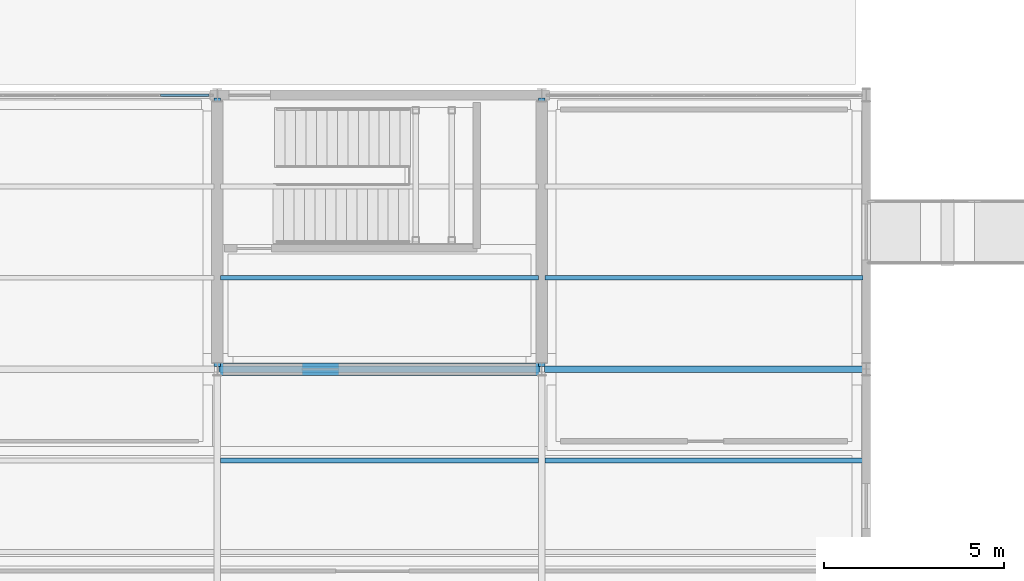
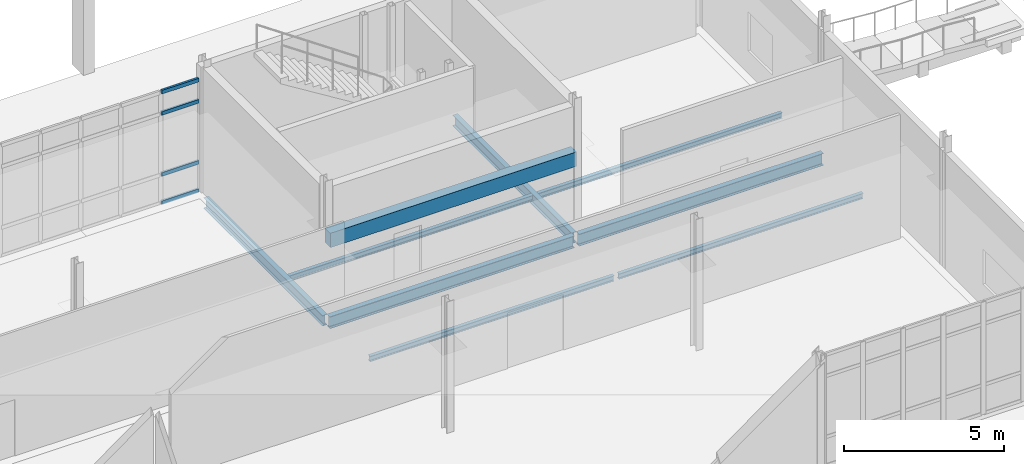
# One storey, part 92 of 161: 9 beams, 4 members, 1 element without a shape of its own.
"""IFC4 building model written with IfcOpenShell, lengths in metres."""

from ifc_helpers import new_model, si_unit, direction, frame, origin, origin_2d, place, context, subcontext, project, spatial, rectangle, hollow_rectangle, i_section, extrude, material, material_profile, profile_set, type_object, element, aggregate, save


model = new_model("IFC4")

# Units and contexts
model_context = context("Model", 3, precision=1e-05, world=origin(), true_north=direction((0.0, 1.0)))
body_context = subcontext(model_context, "Body", "Model", "MODEL_VIEW")
ifc_project = project(units=[si_unit("LENGTHUNIT", "METRE"), si_unit("AREAUNIT", "SQUARE_METRE"), si_unit("VOLUMEUNIT", "CUBIC_METRE"), si_unit("PLANEANGLEUNIT", "RADIAN"), si_unit("MASSUNIT", "GRAM", prefix="KILO")], contexts=[model_context])

# Site, building, storey
site_placement = place(None, origin())
site = spatial("IfcSite", under=ifc_project, at=site_placement, CompositionType="ELEMENT")
building_placement = place(site_placement, origin())
building = spatial("IfcBuilding", under=site, at=building_placement, Name="Caisbarro Railhouse Central Library", CompositionType="ELEMENT")
storey_placement = place(building_placement, origin())
storey = spatial("IfcBuildingStorey", under=building, at=storey_placement, Name="L00", CompositionType="ELEMENT", Elevation=0.0)

# Beams
ifc_material_1 = material(Name="Steel ASTM A572 Grade 50", Category="steel")
ifc_material_profile_1 = material_profile(ifc_material_1, i_section(OverallWidth=0.18994140625, OverallDepth=0.45703125, WebThickness=0.009033203125, FlangeThickness=0.014404296875, FilletRadius=0.01806640625, at=origin_2d()), Name="W460X74.0")
ifc_profile_set_1 = profile_set([ifc_material_profile_1], Name="Steel ASTM A572 Grade 50")
beam_type_1 = type_object("IfcBeamType", Name="BM-G08", PredefinedType="BEAM", material=ifc_profile_set_1)
for number, where, z_axis, x_axis, name in (
    (1, (81.080078125, 98.800048828125, -0.478515625), (1.0, 0.0, 0.0), (0.0, 1.0, 0.0), "G08 beam L00 #626"),
    (2, (90.080078125, 98.800048828125, -0.478515625), (1.0, 0.0, 0.0), (0.0, 1.0, 0.0), "G08 beam L00 #627"),
):
    element("IfcBeam", number, at=place(storey_placement, frame(where, z_axis=z_axis, x_axis=x_axis)), inside=storey, type_object=beam_type_1, Name=name, PredefinedType="BEAM", context=body_context, shape_type="SweptSolid", body=[
        extrude(i_section(OverallWidth=0.18994140625, OverallDepth=0.45703125, WebThickness=0.009033203125, FlangeThickness=0.014404296875, FilletRadius=0.01806640625, at=origin_2d()), origin(), (0.0, 0.0, 1.0), 8.83984375),
    ])
ifc_material_profile_2 = material_profile(ifc_material_1, i_section(OverallWidth=0.177978515625, OverallDepth=0.406982421875, WebThickness=0.0078125, FlangeThickness=0.0126953125, FilletRadius=0.01611328125, at=origin_2d()), Name="W410X60.0")
ifc_profile_set_2 = profile_set([ifc_material_profile_2], Name="Steel ASTM A572 Grade 50")
beam_type_2 = type_object("IfcBeamType", Name="BM-G10", PredefinedType="BEAM", material=ifc_profile_set_2)
for number, where, z_axis, x_axis, name in (
    (3, (81.0, 98.8798828125, -0.45361328125), (0.0, 1.0, 0.0), (-1.0, 0.0, 0.0), "G10 beam L00 #644"),
    (4, (90.0, 98.8798828125, -0.45361328125), (0.0, 1.0, 0.0), (-1.0, 0.0, 0.0), "G10 beam L00 #647"),
):
    element("IfcBeam", number, at=place(storey_placement, frame(where, z_axis=z_axis, x_axis=x_axis)), inside=storey, type_object=beam_type_2, Name=name, PredefinedType="BEAM", context=body_context, shape_type="SweptSolid", body=[
        extrude(i_section(OverallWidth=0.177978515625, OverallDepth=0.406982421875, WebThickness=0.0078125, FlangeThickness=0.0126953125, FilletRadius=0.01611328125, at=origin_2d()), origin(), (0.0, 0.0, 1.0), 7.440185546875),
    ])
ifc_material_profile_3 = material_profile(ifc_material_1, i_section(OverallWidth=0.133056640625, OverallDepth=0.20703125, WebThickness=0.005859375, FlangeThickness=0.00830078125, FilletRadius=0.010009765625, at=origin_2d()), Name="W200X26.6")
ifc_profile_set_3 = profile_set([ifc_material_profile_3], Name="Steel ASTM A572 Grade 50")
beam_type_3 = type_object("IfcBeamType", Name="BM-J07", PredefinedType="JOIST", material=ifc_profile_set_3)
for number, where, z_axis, x_axis, name in (
    (5, (81.089111328125, 96.2666015625, -0.353515625), (1.0, 0.0, 0.0), (0.0, 1.0, 0.0), "J07 beam L00 #672"),
    (6, (81.089111328125, 101.333251953125, -0.353515625), (1.0, 0.0, 0.0), (0.0, 1.0, 0.0), "J07 beam L00 #673"),
    (7, (90.089111328125, 96.2666015625, -0.353515625), (1.0, 0.0, 0.0), (0.0, 1.0, 0.0), "J07 beam L00 #678"),
    (8, (90.089111328125, 101.333251953125, -0.353515625), (1.0, 0.0, 0.0), (0.0, 1.0, 0.0), "J07 beam L00 #679"),
):
    element("IfcBeam", number, at=place(storey_placement, frame(where, z_axis=z_axis, x_axis=x_axis)), inside=storey, type_object=beam_type_3, Name=name, PredefinedType="JOIST", context=body_context, shape_type="SweptSolid", body=[
        extrude(i_section(OverallWidth=0.133056640625, OverallDepth=0.20703125, WebThickness=0.005859375, FlangeThickness=0.00830078125, FilletRadius=0.010009765625, at=origin_2d()), origin(), (0.0, 0.0, 1.0), 8.82177734375),
    ])
ifc_material_2 = material(Name="Concrete C40", Category="concrete")
ifc_material_profile_4 = material_profile(ifc_material_2, rectangle(XDim=0.35009765625, YDim=0.550048828125, at=origin_2d()), Name="RC-LIN-350X550")
ifc_profile_set_4 = profile_set([ifc_material_profile_4], Name="Concrete C40")
beam_type_4 = type_object("IfcBeamType", Name="BM-LN00", PredefinedType="LINTEL", material=ifc_profile_set_4)
beam_placement = place(storey_placement, frame((81.050048828125, 98.800048828125, 2.72509765625), z_axis=(1.0, 0.0, 0.0), x_axis=(0.0, 1.0, 0.0)))
element("IfcBeam", 9, at=beam_placement, inside=storey, type_object=beam_type_4, Name="LN00 RC core coupling lintel K5 L00", PredefinedType="LINTEL", context=body_context, shape_type="SweptSolid", body=[
    extrude(rectangle(XDim=0.35009765625, YDim=0.550048828125, at=origin_2d()), origin(), (0.0, 0.0, 1.0), 8.89990234375),
])

# Curtain wall, members
ifc_material_3 = material(Name="Anodised architectural aluminium", Category="aluminium")
curtain_wall_type = type_object("IfcCurtainWallType", Name="CW-CW03", PredefinedType="NOTDEFINED", material=ifc_material_3)
curtain_wall_placement = place(storey_placement, origin())
curtain_wall = element("IfcCurtainWall", 10, at=curtain_wall_placement, inside=storey, type_object=curtain_wall_type, Name="CW03 curtain wall L00 #169", PredefinedType="NOTDEFINED")
ifc_material_profile_5 = material_profile(ifc_material_3, hollow_rectangle(XDim=0.074951171875, YDim=0.139892578125, WallThickness=0.00390625, at=origin_2d()), Name="ALU-TRN-75X140")
ifc_profile_set_5 = profile_set([ifc_material_profile_5], Name="Anodised architectural aluminium")
member_type = type_object("IfcMemberType", Name="CWT-T01", PredefinedType="USERDEFINED", material=ifc_profile_set_5)
member_1_placement = place(storey_placement, frame((79.42578125, 106.39990234375, 0.03759765625), z_axis=(1.0, 0.0, 0.0), x_axis=(0.0, 1.0, 0.0)))
member_1 = element("IfcMember", 11, at=member_1_placement, type_object=member_type, Name="CW03 transom 6.1", ObjectType="TRANSOM", PredefinedType="USERDEFINED", context=body_context, shape_type="SweptSolid", body=[
    extrude(hollow_rectangle(XDim=0.074951171875, YDim=0.139892578125, WallThickness=0.00390625, at=origin_2d()), origin(), (0.0, 0.0, 1.0), 1.34912109375),
])
member_2_placement = place(storey_placement, frame((79.42578125, 106.39990234375, 1.1201171875), z_axis=(1.0, 0.0, 0.0), x_axis=(0.0, 1.0, 0.0)))
member_2 = element("IfcMember", 12, at=member_2_placement, type_object=member_type, Name="CW03 transom 6.2", ObjectType="TRANSOM", PredefinedType="USERDEFINED", context=body_context, shape_type="SweptSolid", body=[
    extrude(hollow_rectangle(XDim=0.074951171875, YDim=0.139892578125, WallThickness=0.00390625, at=origin_2d()), origin(), (0.0, 0.0, 1.0), 1.34912109375),
])
member_3_placement = place(storey_placement, frame((79.42578125, 106.39990234375, 3.449951171875), z_axis=(1.0, 0.0, 0.0), x_axis=(0.0, 1.0, 0.0)))
member_3 = element("IfcMember", 13, at=member_3_placement, type_object=member_type, Name="CW03 transom 6.3", ObjectType="TRANSOM", PredefinedType="USERDEFINED", context=body_context, shape_type="SweptSolid", body=[
    extrude(hollow_rectangle(XDim=0.074951171875, YDim=0.139892578125, WallThickness=0.00390625, at=origin_2d()), origin(), (0.0, 0.0, 1.0), 1.34912109375),
])
member_4_placement = place(storey_placement, frame((79.42578125, 106.39990234375, 4.262451171875), z_axis=(1.0, 0.0, 0.0), x_axis=(0.0, 1.0, 0.0)))
member_4 = element("IfcMember", 14, at=member_4_placement, type_object=member_type, Name="CW03 transom 6.4", ObjectType="TRANSOM", PredefinedType="USERDEFINED", context=body_context, shape_type="SweptSolid", body=[
    extrude(hollow_rectangle(XDim=0.074951171875, YDim=0.139892578125, WallThickness=0.00390625, at=origin_2d()), origin(), (0.0, 0.0, 1.0), 1.34912109375),
])
aggregate(curtain_wall, [member_1, member_2, member_3, member_4])

save(model, "model.ifc")
